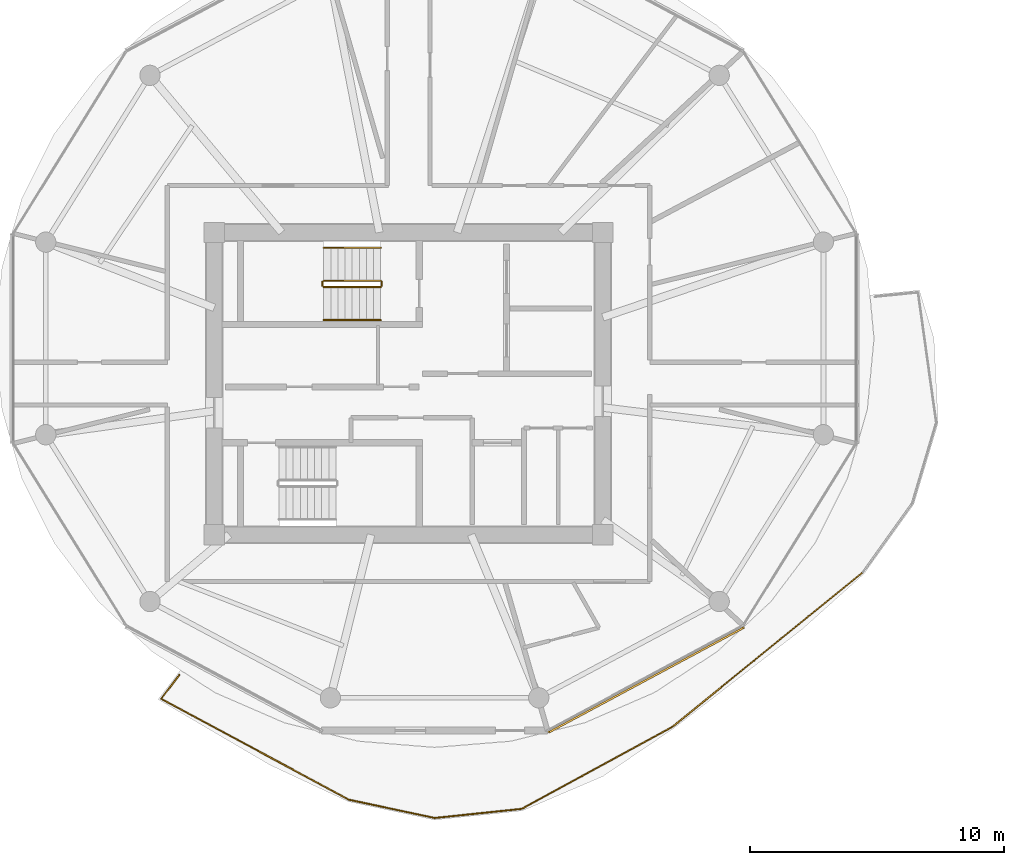
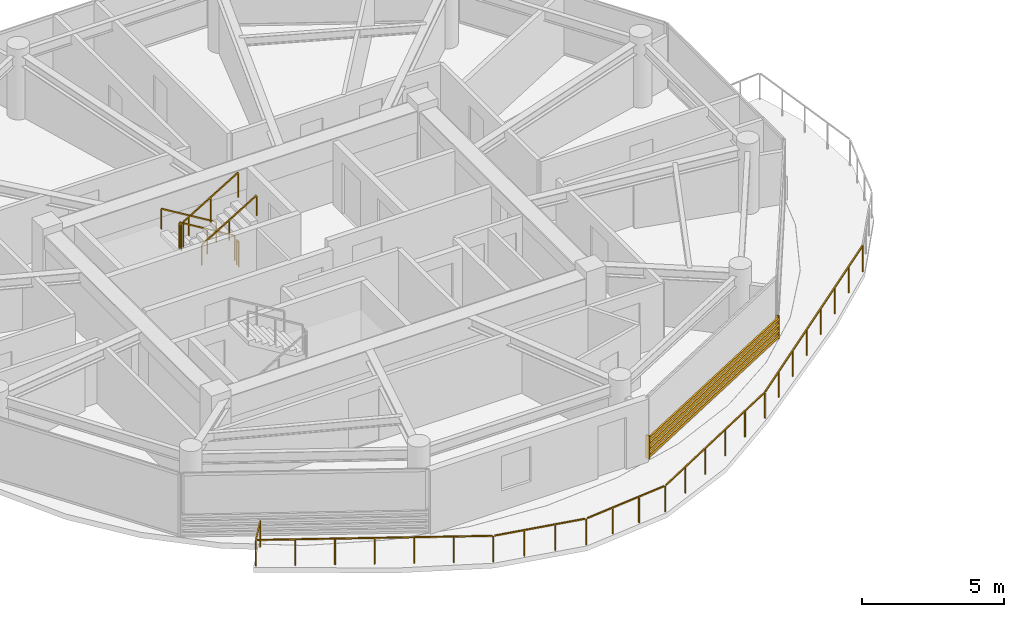
# One storey, part 19 of 22: 7 railings, 1 shading device.
"""IFC4 building model written with IfcOpenShell, lengths in metres."""

from ifc_helpers import new_model, si_unit, direction, frame, origin, origin_2d, place, context, subcontext, project, spatial, rectangle, extrude, source, transform, mapped, material, type_object, type_shapes, element, save


model = new_model("IFC4")

# Units and contexts
model_context = context("Model", 3, precision=1e-05, world=origin(), true_north=direction((0.0, 1.0)))
body_context = subcontext(model_context, "Body", "Model", "MODEL_VIEW")
ifc_project = project(units=[si_unit("LENGTHUNIT", "METRE"), si_unit("AREAUNIT", "SQUARE_METRE"), si_unit("VOLUMEUNIT", "CUBIC_METRE"), si_unit("PLANEANGLEUNIT", "RADIAN"), si_unit("MASSUNIT", "GRAM", prefix="KILO")], contexts=[model_context])

# Site, building, storey
site_placement = place(None, origin())
site = spatial("IfcSite", under=ifc_project, at=site_placement, CompositionType="ELEMENT")
building_placement = place(site_placement, origin())
building = spatial("IfcBuilding", under=site, at=building_placement, Name="Norrkilde Senior Care Towers", CompositionType="ELEMENT")
storey_placement = place(building_placement, frame((0.0, 0.0, 183.10009765625)))
storey = spatial("IfcBuildingStorey", under=building, at=storey_placement, Name="L57", CompositionType="ELEMENT", Elevation=183.10009765625)

# Railings
ifc_material_1 = material(Name="Anodised Aluminium", Category="aluminium")
railing_type_1 = type_object("IfcRailingType", Name="Balcony Swirl Ribbon Guardrail 1150", PredefinedType="GUARDRAIL", material=ifc_material_1)
railing_1_placement = place(storey_placement, frame((-10.110107421875, -7.42626953125, 0.0)))
element("IfcRailing", 1, at=railing_1_placement, inside=storey, type_object=railing_type_1, Name="L57 Perimeter Safety Guard 03", PredefinedType="GUARDRAIL", context=body_context, shape_type="SweptSolid", body=[
    extrude(rectangle(XDim=0.048095703125, YDim=0.048095703125, at=origin_2d()), frame((0.0, 0.0, 1.1259765625), z_axis=(-0.776285534089, -0.630381447668, 0.0), x_axis=(0.630381447668, -0.776285534089, 0.0)), (0.0, 0.0, 1.0), 9.622314453125),
    extrude(rectangle(XDim=0.048095703125, YDim=0.048095703125, at=origin_2d()), frame((-7.537353515625, -6.111083984375, 1.1259765625), z_axis=(-0.878182852564, -0.478325075093, 0.0), x_axis=(0.478325075093, -0.878182852564, 0.0)), (0.0, 0.0, 1.0), 6.669921875),
    extrude(rectangle(XDim=0.048095703125, YDim=0.048095703125, at=origin_2d()), frame((-13.471435546875, -9.3251953125, 1.1259765625), z_axis=(-0.994585073132, -0.103925609464, 0.0), x_axis=(0.103925609464, -0.994585073132, 0.0)), (0.0, 0.0, 1.0), 3.366943359375),
    extrude(rectangle(XDim=0.048095703125, YDim=0.048095703125, at=origin_2d()), frame((-16.900634765625, -9.6708984375, 1.1259765625), z_axis=(-0.978068826358, 0.208281950505, 0.0), x_axis=(-0.208281950505, -0.978068826358, 0.0)), (0.0, 0.0, 1.0), 3.367919921875),
    extrude(rectangle(XDim=0.048095703125, YDim=0.048095703125, at=origin_2d()), frame((-20.270751953125, -8.941650390625, 1.1259765625), z_axis=(-0.880986799525, 0.473140844848, 0.0), x_axis=(-0.473140844848, -0.880986799525, 0.0)), (0.0, 0.0, 1.0), 8.316162109375),
    extrude(rectangle(XDim=0.048095703125, YDim=0.048095703125, at=origin_2d()), frame((-27.608154296875, -4.955078125, 1.1259765625), z_axis=(0.608167946824, 0.793808382707, 0.0), x_axis=(-0.793808382707, 0.608167946824, 0.0)), (0.0, 0.0, 1.0), 1.145263671875),
    extrude(rectangle(XDim=0.0419921875, YDim=0.0419921875, at=origin_2d()), origin(), (0.0, 0.0, 1.0), 1.099853515625),
    extrude(rectangle(XDim=0.0419921875, YDim=0.0419921875, at=origin_2d()), frame((-1.071533203125, -0.8701171875, 0.0)), (0.0, 0.0, 1.0), 1.099853515625),
    extrude(rectangle(XDim=0.0419921875, YDim=0.0419921875, at=origin_2d()), frame((-2.143310546875, -1.740478515625, 0.0)), (0.0, 0.0, 1.0), 1.099853515625),
    extrude(rectangle(XDim=0.0419921875, YDim=0.0419921875, at=origin_2d()), frame((-3.21484375, -2.610595703125, 0.0)), (0.0, 0.0, 1.0), 1.099853515625),
    extrude(rectangle(XDim=0.0419921875, YDim=0.0419921875, at=origin_2d()), frame((-4.28662109375, -3.48095703125, 0.0)), (0.0, 0.0, 1.0), 1.099853515625),
    extrude(rectangle(XDim=0.0419921875, YDim=0.0419921875, at=origin_2d()), frame((-5.358154296875, -4.35107421875, 0.0)), (0.0, 0.0, 1.0), 1.099853515625),
    extrude(rectangle(XDim=0.0419921875, YDim=0.0419921875, at=origin_2d()), frame((-6.429931640625, -5.221435546875, 0.0)), (0.0, 0.0, 1.0), 1.099853515625),
    extrude(rectangle(XDim=0.0419921875, YDim=0.0419921875, at=origin_2d()), frame((-7.50146484375, -6.091552734375, 0.0)), (0.0, 0.0, 1.0), 1.099853515625),
    extrude(rectangle(XDim=0.0419921875, YDim=0.0419921875, at=origin_2d()), frame((-8.687255859375, -6.737548828125, 0.0)), (0.0, 0.0, 1.0), 1.099853515625),
    extrude(rectangle(XDim=0.0419921875, YDim=0.0419921875, at=origin_2d()), frame((-9.873046875, -7.38330078125, 0.0)), (0.0, 0.0, 1.0), 1.099853515625),
    extrude(rectangle(XDim=0.0419921875, YDim=0.0419921875, at=origin_2d()), frame((-11.05908203125, -8.029296875, 0.0)), (0.0, 0.0, 1.0), 1.099853515625),
    extrude(rectangle(XDim=0.0419921875, YDim=0.0419921875, at=origin_2d()), frame((-12.244873046875, -8.675048828125, 0.0)), (0.0, 0.0, 1.0), 1.099853515625),
    extrude(rectangle(XDim=0.0419921875, YDim=0.0419921875, at=origin_2d()), frame((-13.4306640625, -9.321044921875, 0.0)), (0.0, 0.0, 1.0), 1.099853515625),
    extrude(rectangle(XDim=0.0419921875, YDim=0.0419921875, at=origin_2d()), frame((-14.573974609375, -9.4404296875, 0.0)), (0.0, 0.0, 1.0), 1.099853515625),
    extrude(rectangle(XDim=0.0419921875, YDim=0.0419921875, at=origin_2d()), frame((-15.71728515625, -9.56005859375, 0.0)), (0.0, 0.0, 1.0), 1.099853515625),
    extrude(rectangle(XDim=0.0419921875, YDim=0.0419921875, at=origin_2d()), frame((-16.860595703125, -9.679443359375, 0.0)), (0.0, 0.0, 1.0), 1.099853515625),
    extrude(rectangle(XDim=0.0419921875, YDim=0.0419921875, at=origin_2d()), frame((-17.9853515625, -9.43994140625, 0.0)), (0.0, 0.0, 1.0), 1.099853515625),
    extrude(rectangle(XDim=0.0419921875, YDim=0.0419921875, at=origin_2d()), frame((-19.10986328125, -9.200439453125, 0.0)), (0.0, 0.0, 1.0), 1.099853515625),
    extrude(rectangle(XDim=0.0419921875, YDim=0.0419921875, at=origin_2d()), frame((-20.234619140625, -8.9609375, 0.0)), (0.0, 0.0, 1.0), 1.099853515625),
    extrude(rectangle(XDim=0.0419921875, YDim=0.0419921875, at=origin_2d()), frame((-21.4677734375, -8.298828125, 0.0)), (0.0, 0.0, 1.0), 1.099853515625),
    extrude(rectangle(XDim=0.0419921875, YDim=0.0419921875, at=origin_2d()), frame((-22.70068359375, -7.636474609375, 0.0)), (0.0, 0.0, 1.0), 1.099853515625),
    extrude(rectangle(XDim=0.0419921875, YDim=0.0419921875, at=origin_2d()), frame((-23.933837890625, -6.97412109375, 0.0)), (0.0, 0.0, 1.0), 1.099853515625),
    extrude(rectangle(XDim=0.0419921875, YDim=0.0419921875, at=origin_2d()), frame((-25.1669921875, -6.31201171875, 0.0)), (0.0, 0.0, 1.0), 1.099853515625),
    extrude(rectangle(XDim=0.0419921875, YDim=0.0419921875, at=origin_2d()), frame((-26.39990234375, -5.64990234375, 0.0)), (0.0, 0.0, 1.0), 1.099853515625),
    extrude(rectangle(XDim=0.0419921875, YDim=0.0419921875, at=origin_2d()), frame((-27.633056640625, -4.987548828125, 0.0)), (0.0, 0.0, 1.0), 1.099853515625),
    extrude(rectangle(XDim=0.0419921875, YDim=0.0419921875, at=origin_2d()), frame((-26.91162109375, -4.0458984375, 0.0)), (0.0, 0.0, 1.0), 1.099853515625),
])
ifc_material_2 = material(Name="Stainless Steel", Category="steel")
railing_type_2 = type_object("IfcRailingType", Name="Stair and Terrace Guardrail 1100", PredefinedType="GUARDRAIL", material=ifc_material_2)
railing_2_placement = place(storey_placement, frame((-29.10009765625, 4.050048828125, 0.16943359375)))
element("IfcRailing", 2, at=railing_2_placement, inside=storey, type_object=railing_type_2, Name="L57 ST-W1 stair guard 1", PredefinedType="GUARDRAIL", context=body_context, shape_type="SweptSolid", body=[
    extrude(rectangle(XDim=0.048095703125, YDim=0.048095703125, at=origin_2d()), frame((0.0, 0.0, 1.076171875), z_axis=(-0.855553338991, 0.0, 0.51771467445), x_axis=(0.0, -1.0, 0.0)), (0.0, 0.0, 1.0), 2.6181640625),
    extrude(rectangle(XDim=0.0419921875, YDim=0.0419921875, at=origin_2d()), origin(), (0.0, 0.0, 1.0), 1.050048828125),
    extrude(rectangle(XDim=0.0419921875, YDim=0.0419921875, at=origin_2d()), frame((-1.1201171875, 0.0, 0.677734375)), (0.0, 0.0, 1.0), 1.050048828125),
    extrude(rectangle(XDim=0.0419921875, YDim=0.0419921875, at=origin_2d()), frame((-2.239990234375, 0.0, 1.35546875)), (0.0, 0.0, 1.0), 1.050048828125),
])
railing_3_placement = place(storey_placement, frame((-31.389892578125, 4.0, 1.52490234375)))
element("IfcRailing", 3, at=railing_3_placement, inside=storey, type_object=railing_type_2, Name="L57 ST-W1 stair guard 2", PredefinedType="GUARDRAIL", context=body_context, shape_type="SweptSolid", body=[
    extrude(rectangle(XDim=0.048095703125, YDim=0.048095703125, at=origin_2d()), frame((0.0, 0.0, 1.076171875), z_axis=(0.0, -1.0, 0.0), x_axis=(1.0, 0.0, 0.0)), (0.0, 0.0, 1.0), 0.14990234375),
    extrude(rectangle(XDim=0.0419921875, YDim=0.0419921875, at=origin_2d()), origin(), (0.0, 0.0, 1.0), 1.050048828125),
    extrude(rectangle(XDim=0.0419921875, YDim=0.0419921875, at=origin_2d()), frame((0.0, -0.14990234375, 0.0)), (0.0, 0.0, 1.0), 1.050048828125),
])
railing_4_placement = place(storey_placement, frame((-31.340087890625, 3.800048828125, 1.6943359375)))
element("IfcRailing", 4, at=railing_4_placement, inside=storey, type_object=railing_type_2, Name="L57 ST-W1 stair guard 3", PredefinedType="GUARDRAIL", context=body_context, shape_type="SweptSolid", body=[
    extrude(rectangle(XDim=0.048095703125, YDim=0.048095703125, at=origin_2d()), frame((0.0, 0.0, 1.076171875), z_axis=(0.855553338991, 0.0, 0.51771467445), x_axis=(0.0, 1.0, 0.0)), (0.0, 0.0, 1.0), 2.6181640625),
    extrude(rectangle(XDim=0.0419921875, YDim=0.0419921875, at=origin_2d()), origin(), (0.0, 0.0, 1.0), 1.050048828125),
    extrude(rectangle(XDim=0.0419921875, YDim=0.0419921875, at=origin_2d()), frame((1.1201171875, 0.0, 0.677734375)), (0.0, 0.0, 1.0), 1.050048828125),
    extrude(rectangle(XDim=0.0419921875, YDim=0.0419921875, at=origin_2d()), frame((2.239990234375, 0.0, 1.35546875)), (0.0, 0.0, 1.0), 1.050048828125),
])
railing_5_placement = place(storey_placement, frame((-29.050048828125, 4.0, 0.0)))
element("IfcRailing", 5, at=railing_5_placement, inside=storey, type_object=railing_type_2, Name="L57 ST-W1 stair guard 4", PredefinedType="GUARDRAIL", context=body_context, shape_type="SweptSolid", body=[
    extrude(rectangle(XDim=0.048095703125, YDim=0.048095703125, at=origin_2d()), frame((0.0, 0.0, 1.076171875), z_axis=(0.0, -1.0, 0.0), x_axis=(1.0, 0.0, 0.0)), (0.0, 0.0, 1.0), 0.14990234375),
    extrude(rectangle(XDim=0.0419921875, YDim=0.0419921875, at=origin_2d()), origin(), (0.0, 0.0, 1.0), 1.050048828125),
    extrude(rectangle(XDim=0.0419921875, YDim=0.0419921875, at=origin_2d()), frame((0.0, -0.14990234375, 0.0)), (0.0, 0.0, 1.0), 1.050048828125),
])
ifc_material_3 = material(Name="Nordic Ash Timber", Category="wood")
railing_type_3 = type_object("IfcRailingType", Name="Wall and Stair Handrail 900", PredefinedType="HANDRAIL", material=ifc_material_3)
railing_6_placement = place(storey_placement, frame((-29.10009765625, 5.35009765625, 0.16943359375)))
element("IfcRailing", 6, at=railing_6_placement, inside=storey, type_object=railing_type_3, Name="L57 ST-W1 stair handrail 1", PredefinedType="HANDRAIL", context=body_context, shape_type="SweptSolid", body=[
    extrude(rectangle(XDim=0.048095703125, YDim=0.048095703125, at=origin_2d()), frame((0.0, 0.0, 0.8759765625), z_axis=(-0.855553338991, 0.0, 0.51771467445), x_axis=(0.0, -1.0, 0.0)), (0.0, 0.0, 1.0), 2.6181640625),
    extrude(rectangle(XDim=0.0419921875, YDim=0.0419921875, at=origin_2d()), origin(), (0.0, 0.0, 1.0), 0.849853515625),
    extrude(rectangle(XDim=0.0419921875, YDim=0.0419921875, at=origin_2d()), frame((-1.1201171875, 0.0, 0.677734375)), (0.0, 0.0, 1.0), 0.849853515625),
    extrude(rectangle(XDim=0.0419921875, YDim=0.0419921875, at=origin_2d()), frame((-2.239990234375, 0.0, 1.35546875)), (0.0, 0.0, 1.0), 0.849853515625),
])
railing_7_placement = place(storey_placement, frame((-31.340087890625, 2.5, 1.6943359375)))
element("IfcRailing", 7, at=railing_7_placement, inside=storey, type_object=railing_type_3, Name="L57 ST-W1 stair handrail 2", PredefinedType="HANDRAIL", context=body_context, shape_type="SweptSolid", body=[
    extrude(rectangle(XDim=0.048095703125, YDim=0.048095703125, at=origin_2d()), frame((0.0, 0.0, 0.8759765625), z_axis=(0.855553338991, 0.0, 0.51771467445), x_axis=(0.0, 1.0, 0.0)), (0.0, 0.0, 1.0), 2.6181640625),
    extrude(rectangle(XDim=0.0419921875, YDim=0.0419921875, at=origin_2d()), origin(), (0.0, 0.0, 1.0), 0.849853515625),
    extrude(rectangle(XDim=0.0419921875, YDim=0.0419921875, at=origin_2d()), frame((1.1201171875, 0.0, 0.677734375)), (0.0, 0.0, 1.0), 0.849853515625),
    extrude(rectangle(XDim=0.0419921875, YDim=0.0419921875, at=origin_2d()), frame((2.239990234375, 0.0, 1.35546875)), (0.0, 0.0, 1.0), 0.849853515625),
])

# Shading device
ifc_material_4 = material(Name="Architectural Terracotta", Category="masonry")
shading_device_type = type_object("IfcShadingDeviceType", Name="Horizontal Terracotta Baguette Rack", PredefinedType="USERDEFINED", material=ifc_material_4)
shared_shape = source(origin(), body_context, "Body", "SweptSolid", [
    extrude(rectangle(XDim=0.070068359375, YDim=0.110107421875, at=origin_2d()), frame((0.0, 0.090087890625, 0.125), z_axis=(1.0, 0.0, 0.0), x_axis=(0.0, 1.0, 0.0)), (0.0, 0.0, 1.0), 8.741943359375),
    extrude(rectangle(XDim=0.070068359375, YDim=0.110107421875, at=origin_2d()), frame((0.0, 0.090087890625, 0.375), z_axis=(1.0, 0.0, 0.0), x_axis=(0.0, 1.0, 0.0)), (0.0, 0.0, 1.0), 8.741943359375),
    extrude(rectangle(XDim=0.070068359375, YDim=0.110107421875, at=origin_2d()), frame((0.0, 0.090087890625, 0.625), z_axis=(1.0, 0.0, 0.0), x_axis=(0.0, 1.0, 0.0)), (0.0, 0.0, 1.0), 8.741943359375),
    extrude(rectangle(XDim=0.070068359375, YDim=0.110107421875, at=origin_2d()), frame((0.0, 0.090087890625, 0.875), z_axis=(1.0, 0.0, 0.0), x_axis=(0.0, 1.0, 0.0)), (0.0, 0.0, 1.0), 8.741943359375),
    extrude(rectangle(XDim=0.050048828125, YDim=0.1552734375, at=origin_2d()), frame((0.02490234375, 0.047607421875, 0.0)), (0.0, 0.0, 1.0), 1.0),
    extrude(rectangle(XDim=0.050048828125, YDim=0.1552734375, at=origin_2d()), frame((8.716796875, 0.047607421875, 0.0)), (0.0, 0.0, 1.0), 1.0),
])
type_shapes(shading_device_type, [shared_shape])
shading_device_placement = place(storey_placement, frame((-14.826904296875, -9.524169921875, 0.079833984375), z_axis=(0.0, 0.0, 1.0), x_axis=(-0.881000921608, -0.473119781048, 0.0)))
element("IfcShadingDevice", 8, at=shading_device_placement, inside=storey, type_object=shading_device_type, Name="L57 Drum W Terracotta Baguette Screen 09", ObjectType="BAGUETTE", PredefinedType="USERDEFINED", context=body_context, shape_type="MappedRepresentation", body=[
    mapped(shared_shape, transform((0.0, 0.0, 0.0), x_axis=(1.0, 0.0, 0.0), y_axis=(0.0, 1.0, 0.0), z_axis=(0.0, 0.0, 1.0), scale=1.0)),
])

save(model, "model.ifc")
